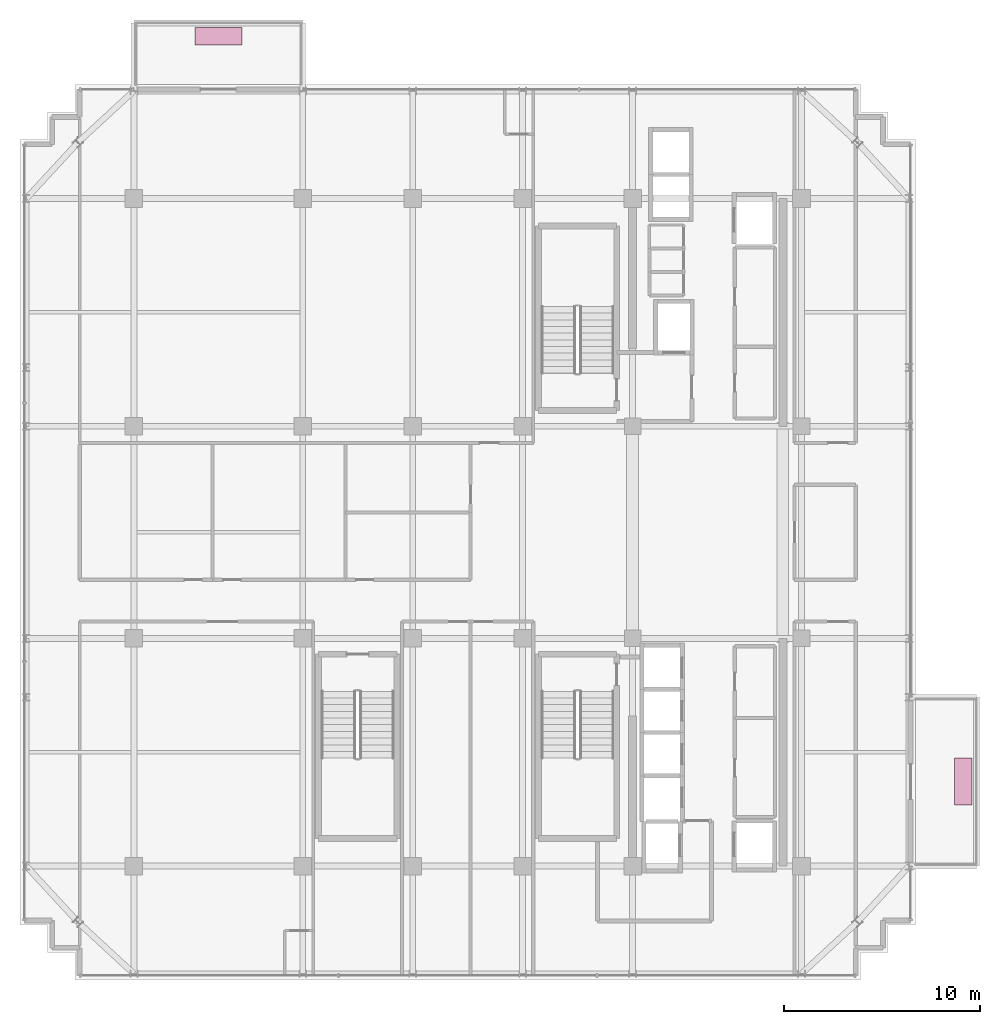
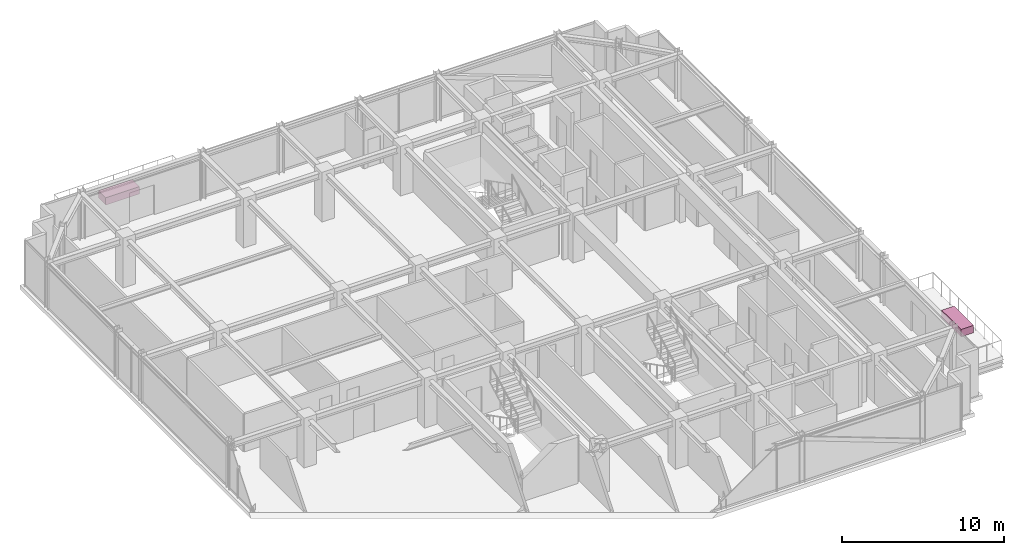
# One storey, part 31 of 31: 2 furnishings.
"""IFC4 building model written with IfcOpenShell, lengths in metres."""

from ifc_helpers import new_model, si_unit, direction, frame, origin, origin_2d, place, context, subcontext, project, spatial, rectangle, extrude, source, transform, mapped, material, type_object, element, save


model = new_model("IFC4")

# Units and contexts
model_context = context("Model", 3, precision=1e-05, world=origin(), true_north=direction((0.0, 1.0)))
body_context = subcontext(model_context, "Body", "Model", "MODEL_VIEW")
ifc_project = project(units=[si_unit("LENGTHUNIT", "METRE"), si_unit("AREAUNIT", "SQUARE_METRE"), si_unit("VOLUMEUNIT", "CUBIC_METRE"), si_unit("PLANEANGLEUNIT", "RADIAN"), si_unit("MASSUNIT", "GRAM", prefix="KILO")], contexts=[model_context])

# Site, building, storey
site_placement = place(None, origin())
site = spatial("IfcSite", under=ifc_project, at=site_placement, CompositionType="ELEMENT")
building_placement = place(site_placement, origin())
building = spatial("IfcBuilding", under=site, at=building_placement, Name="Nahalor Promenade Grand Hotel", CompositionType="ELEMENT")
storey_placement = place(building_placement, frame((0.0, 0.0, 327.14990234375)))
storey = spatial("IfcBuildingStorey", under=building, at=storey_placement, Name="L84", CompositionType="ELEMENT", Elevation=327.14990234375)

# Furnishings
ifc_material = material(Name="Vegetated Volcanic-Lapilli Tree Planter", Category="earth")
furnishing_element_type = type_object("IfcFurnishingElementType", Name="Planter-VerticalForest-Box", material=ifc_material)
shared_shape = source(origin(), body_context, "Body", "SweptSolid", [
    extrude(rectangle(XDim=2.39990234375, YDim=0.89990234375, at=origin_2d()), origin(), (0.0, 0.0, 1.0), 0.550048828125),
])
for number, where, z_axis, x_axis, name in (
    (1, (-12.699951171875, 25.27001953125, 0.0), (0.0, 0.0, 1.0), (1.0, 0.0, 0.0), "L84 Balcony Structural Tree Planter 1"),
    (2, (25.239990234375, -12.699951171875, 0.0), (0.0, 0.0, 1.0), (0.0, 1.0, 0.0), "L84 Balcony Structural Tree Planter 2"),
):
    element("IfcFurnishingElement", number, at=place(storey_placement, frame(where, z_axis=z_axis, x_axis=x_axis)), inside=storey, type_object=furnishing_element_type, Name=name, ObjectType="PLANTER", context=body_context, shape_type="MappedRepresentation", body=[
        mapped(shared_shape, transform((0.0, 0.0, 0.0), scale=1.0)),
    ])

save(model, "model.ifc")
